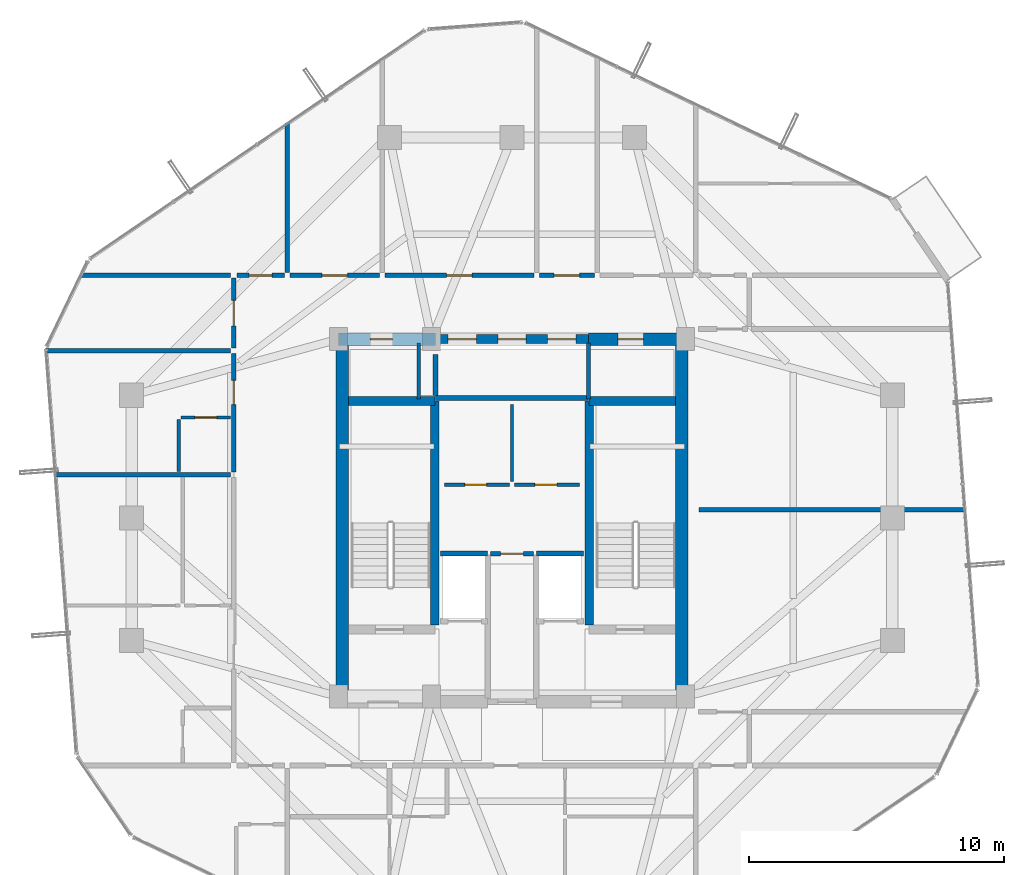
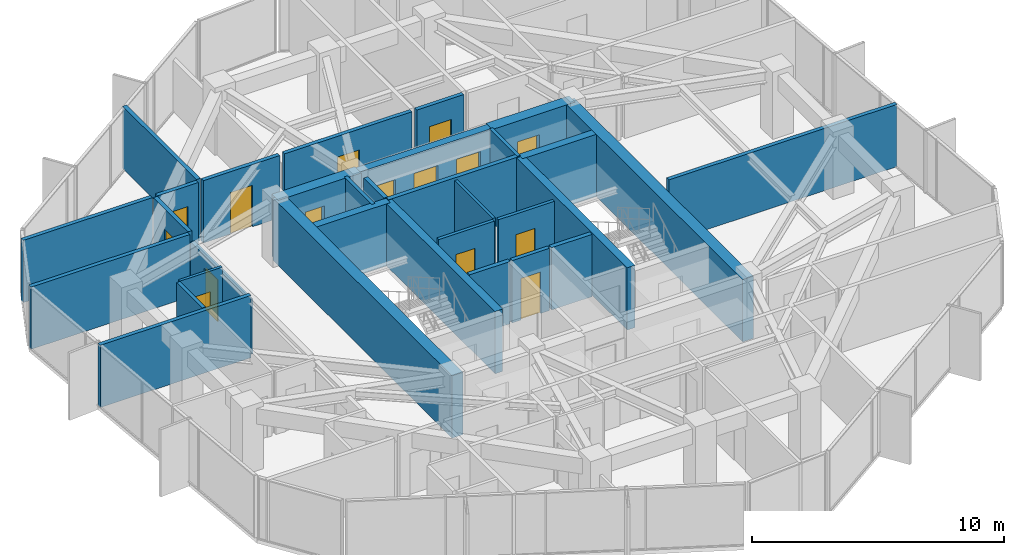
# One storey, part 31 of 34: 32 walls, 15 doors, 15 openings.
"""IFC4 building model written with IfcOpenShell, lengths in metres."""

from ifc_helpers import new_model, si_unit, direction, frame, frame_2d, origin, place, context, subcontext, project, spatial, rectangle, extrude, source, transform, mapped, material, layer, layer_set, type_object, element, fill, save


model = new_model("IFC4")

# Units and contexts
model_context = context("Model", 3, precision=1e-05, world=origin(), true_north=direction((0.0, 1.0)))
body_context = subcontext(model_context, "Body", "Model", "MODEL_VIEW")
ifc_project = project(units=[si_unit("LENGTHUNIT", "METRE"), si_unit("AREAUNIT", "SQUARE_METRE"), si_unit("VOLUMEUNIT", "CUBIC_METRE"), si_unit("PLANEANGLEUNIT", "RADIAN"), si_unit("MASSUNIT", "GRAM", prefix="KILO")], contexts=[model_context])

# Site, building, storey
site_placement = place(None, origin())
site = spatial("IfcSite", under=ifc_project, at=site_placement, CompositionType="ELEMENT")
building_placement = place(site_placement, origin())
building = spatial("IfcBuilding", under=site, at=building_placement, Name="Veraguas Prism Commons", CompositionType="ELEMENT")
storey_placement = place(building_placement, frame((0.0, 0.0, 191.85009765625)))
storey = spatial("IfcBuildingStorey", under=building, at=storey_placement, Name="L54", CompositionType="ELEMENT", Elevation=191.85009765625)

# Wall, openings, doors
ifc_material_1 = material(Name="Concrete C50/60", Category="concrete")
ifc_layer_1 = layer(ifc_material_1, 0.35009765625, Name="Core Internal Shear Wall Upper RC 350", Category="concrete")
ifc_layer_set_1 = layer_set([ifc_layer_1], Name="Concrete C50/60")
wall_type_1 = type_object("IfcWallType", Name="Core Internal Shear Wall Upper RC 350", PredefinedType="SHEAR", material=ifc_layer_set_1)
wall_1_placement = place(storey_placement, frame((21.0, 31.0, 0.0), z_axis=(0.0, 0.0, 1.0), x_axis=(1.0, 0.0, 0.0)))
wall_1 = element("IfcWall", 1, at=wall_1_placement, inside=storey, type_object=wall_type_1, Name="High-Rise Lift Bank Front Shear Wall L54", PredefinedType="SHEAR", context=body_context, shape_type="SweptSolid", body=[
    extrude(rectangle(XDim=6.0, YDim=0.35009765625, at=frame_2d((3.0, 0.0))), origin(), (0.0, 0.0, 1.0), 3.014892578125),
])
opening_1_placement = place(wall_1_placement, frame((0.5, 0.0, 0.0)))
opening_1 = element("IfcOpeningElement", 2, at=opening_1_placement, cuts=wall_1, Name="Opening LD-01", PredefinedType="OPENING", context=body_context, shape_type="SweptSolid", body=[
    extrude(rectangle(XDim=1.10009765625, YDim=2.080078125, at=frame_2d((0.550048828125, 1.0400390625))), frame((0.0, 0.18505859375, 0.0), z_axis=(0.0, -1.0, 0.0), x_axis=(1.0, 0.0, 0.0)), (0.0, 0.0, 1.0), 0.3701171875),
])
opening_2_placement = place(wall_1_placement, frame((2.449951171875, 0.0, 0.0)))
opening_2 = element("IfcOpeningElement", 3, at=opening_2_placement, cuts=wall_1, Name="Opening LD-01", PredefinedType="OPENING", context=body_context, shape_type="SweptSolid", body=[
    extrude(rectangle(XDim=1.10009765625, YDim=2.080078125, at=frame_2d((0.550048828125, 1.0400390625))), frame((0.0, 0.18505859375, 0.0), z_axis=(0.0, -1.0, 0.0), x_axis=(1.0, 0.0, 0.0)), (0.0, 0.0, 1.0), 0.3701171875),
])
opening_3_placement = place(wall_1_placement, frame((4.39990234375, 0.0, 0.0)))
opening_3 = element("IfcOpeningElement", 4, at=opening_3_placement, cuts=wall_1, Name="Opening LD-01", PredefinedType="OPENING", context=body_context, shape_type="SweptSolid", body=[
    extrude(rectangle(XDim=1.10009765625, YDim=2.080078125, at=frame_2d((0.550048828125, 1.0400390625))), frame((0.0, 0.18505859375, 0.0), z_axis=(0.0, -1.0, 0.0), x_axis=(1.0, 0.0, 0.0)), (0.0, 0.0, 1.0), 0.3701171875),
])
ifc_material_2 = material(Name="Stainless steel AISI 316", Category="steel")
door_type_1 = type_object("IfcDoorType", Name="Passenger Lift Sliding Landing Door 1100x2080", OperationType="NOTDEFINED", PredefinedType="DOOR", material=ifc_material_2)
shared_shape_1 = source(origin(), body_context, "Body", "SweptSolid", [
    extrude(rectangle(XDim=1.10009765625, YDim=2.080078125, at=frame_2d((0.550048828125, 1.0400390625))), frame((0.0, 0.02490234375, 0.0), z_axis=(0.0, -1.0, 0.0), x_axis=(1.0, 0.0, 0.0)), (0.0, 0.0, 1.0), 0.050048828125),
])
door_1_placement = place(opening_1_placement, origin())
door_1 = element("IfcDoor", 5, at=door_1_placement, inside=storey, type_object=door_type_1, Name="Sliding Landing Door PL-H1 L54", OperationType="SLIDING_TO_LEFT", OverallHeight=2.080078125, OverallWidth=1.10009765625, PredefinedType="DOOR", context=body_context, shape_type="MappedRepresentation", body=[
    mapped(shared_shape_1, transform((0.0, 0.0, 0.0), scale=1.0)),
])
fill(opening_1, door_1)
door_2_placement = place(opening_2_placement, origin())
door_2 = element("IfcDoor", 6, at=door_2_placement, inside=storey, type_object=door_type_1, Name="Sliding Landing Door PL-H2 L54", OperationType="SLIDING_TO_LEFT", OverallHeight=2.080078125, OverallWidth=1.10009765625, PredefinedType="DOOR", context=body_context, shape_type="MappedRepresentation", body=[
    mapped(shared_shape_1, transform((0.0, 0.0, 0.0), scale=1.0)),
])
fill(opening_2, door_2)
door_3_placement = place(opening_3_placement, origin())
door_3 = element("IfcDoor", 7, at=door_3_placement, inside=storey, type_object=door_type_1, Name="Sliding Landing Door PL-H3 L54", OperationType="SLIDING_TO_LEFT", OverallHeight=2.080078125, OverallWidth=1.10009765625, PredefinedType="DOOR", context=body_context, shape_type="MappedRepresentation", body=[
    mapped(shared_shape_1, transform((0.0, 0.0, 0.0), scale=1.0)),
])
fill(opening_3, door_3)

# Walls
for number, where, z_axis, x_axis, name in (
    (8, (20.97509765625, 19.800048828125, 0.0), (0.0, 0.0, 1.0), (0.0, 1.0, 0.0), "Stair ST-01 Inner Shear Wall L54"),
    (9, (27.02490234375, 19.800048828125, 0.0), (0.0, 0.0, 1.0), (0.0, 1.0, 0.0), "Stair ST-02 Inner Shear Wall L54"),
):
    element("IfcWall", number, at=place(storey_placement, frame(where, z_axis=z_axis, x_axis=x_axis)), inside=storey, type_object=wall_type_1, Name=name, PredefinedType="SHEAR", context=body_context, shape_type="SweptSolid", body=[
        extrude(rectangle(XDim=8.77490234375, YDim=0.35009765625, at=frame_2d((4.387451171875, 0.0))), origin(), (0.0, 0.0, 1.0), 3.014892578125),
    ])
for number, where, z_axis, x_axis, name in (
    (10, (17.60009765625, 28.574951171875, 0.0), (0.0, 0.0, 1.0), (1.0, 0.0, 0.0), "Stair ST-01 North Shear Wall L54"),
    (11, (27.02490234375, 28.574951171875, 0.0), (0.0, 0.0, 1.0), (1.0, 0.0, 0.0), "Stair ST-02 North Shear Wall L54"),
):
    element("IfcWall", number, at=place(storey_placement, frame(where, z_axis=z_axis, x_axis=x_axis)), inside=storey, type_object=wall_type_1, Name=name, PredefinedType="SHEAR", context=body_context, shape_type="SweptSolid", body=[
        extrude(rectangle(XDim=3.375, YDim=0.35009765625, at=frame_2d((1.6875, 0.0))), origin(), (0.0, 0.0, 1.0), 3.014892578125),
    ])
ifc_layer_2 = layer(ifc_material_1, 0.5, Name="Core Outer Shear Wall Upper RC 500", Category="concrete")
ifc_layer_set_2 = layer_set([ifc_layer_2], Name="Concrete C50/60")
wall_type_2 = type_object("IfcWallType", Name="Core Outer Shear Wall Upper RC 500", PredefinedType="SHEAR", material=ifc_layer_set_2)
for number, where, z_axis, x_axis, name in (
    (12, (17.35009765625, 16.800048828125, 0.0), (0.0, 0.0, 1.0), (0.0, 1.0, 0.0), "Central Core West Shear Wall L54"),
    (13, (30.64990234375, 16.800048828125, 0.0), (0.0, 0.0, 1.0), (0.0, 1.0, 0.0), "Central Core East Shear Wall L54"),
):
    element("IfcWall", number, at=place(storey_placement, frame(where, z_axis=z_axis, x_axis=x_axis)), inside=storey, type_object=wall_type_2, Name=name, PredefinedType="SHEAR", context=body_context, shape_type="SweptSolid", body=[
        extrude(rectangle(XDim=14.199951171875, YDim=0.5, at=frame_2d((7.10009765625, 0.0))), origin(), (0.0, 0.0, 1.0), 3.014892578125),
    ])

# Wall, opening, door
wall_2_placement = place(storey_placement, frame((17.199951171875, 31.0, 0.0), z_axis=(0.0, 0.0, 1.0), x_axis=(1.0, 0.0, 0.0)))
wall_2 = element("IfcWall", 14, at=wall_2_placement, inside=storey, type_object=wall_type_2, Name="Central Core North-West Shear Wall L54", PredefinedType="SHEAR", context=body_context, shape_type="SweptSolid", body=[
    extrude(rectangle(XDim=3.800048828125, YDim=0.5, at=frame_2d((1.89990234375, 0.0))), origin(), (0.0, 0.0, 1.0), 3.014892578125),
])
opening_4_placement = place(wall_2_placement, frame((1.25, 0.0, 0.0)))
opening_4 = element("IfcOpeningElement", 15, at=opening_4_placement, cuts=wall_2, Name="Opening DR-12", PredefinedType="OPENING", context=body_context, shape_type="SweptSolid", body=[
    extrude(rectangle(XDim=0.860107421875, YDim=2.010009765625, at=frame_2d((0.43017578125, 1.0048828125))), frame((0.0, 0.260009765625, 0.0), z_axis=(0.0, -1.0, 0.0), x_axis=(1.0, 0.0, 0.0)), (0.0, 0.0, 1.0), 0.52001953125),
])
ifc_material_3 = material(Name="Steel fire-rated door assembly", Category="steel")
door_type_2 = type_object("IfcDoorType", Name="Core WC Fire Door 860x2010", OperationType="NOTDEFINED", PredefinedType="DOOR", material=ifc_material_3)
shared_shape_2 = source(origin(), body_context, "Body", "SweptSolid", [
    extrude(rectangle(XDim=0.860107421875, YDim=2.010009765625, at=frame_2d((0.43017578125, 1.0048828125))), frame((0.0, 0.02490234375, 0.0), z_axis=(0.0, -1.0, 0.0), x_axis=(1.0, 0.0, 0.0)), (0.0, 0.0, 1.0), 0.050048828125),
])
door_4_placement = place(opening_4_placement, origin())
door_4 = element("IfcDoor", 16, at=door_4_placement, inside=storey, type_object=door_type_2, Name="Core NW Service Door L54", OperationType="SINGLE_SWING_LEFT", OverallHeight=2.010009765625, OverallWidth=0.860107421875, PredefinedType="DOOR", context=body_context, shape_type="MappedRepresentation", body=[
    mapped(shared_shape_2, transform((0.0, 0.0, 0.0), scale=1.0)),
])
fill(opening_4, door_4)

wall_3_placement = place(storey_placement, frame((27.0, 31.0, 0.0), z_axis=(0.0, 0.0, 1.0), x_axis=(1.0, 0.0, 0.0)))
wall_3 = element("IfcWall", 17, at=wall_3_placement, inside=storey, type_object=wall_type_2, Name="Central Core North-East Shear Wall L54", PredefinedType="SHEAR", context=body_context, shape_type="SweptSolid", body=[
    extrude(rectangle(XDim=3.800048828125, YDim=0.5, at=frame_2d((1.89990234375, 0.0))), origin(), (0.0, 0.0, 1.0), 3.014892578125),
])
opening_5_placement = place(wall_3_placement, frame((1.14990234375, 0.0, 0.0)))
opening_5 = element("IfcOpeningElement", 18, at=opening_5_placement, cuts=wall_3, Name="Opening DR-13", PredefinedType="OPENING", context=body_context, shape_type="SweptSolid", body=[
    extrude(rectangle(XDim=1.0, YDim=2.010009765625, at=frame_2d((0.5, 1.0048828125))), frame((0.0, 0.260009765625, 0.0), z_axis=(0.0, -1.0, 0.0), x_axis=(1.0, 0.0, 0.0)), (0.0, 0.0, 1.0), 0.52001953125),
])
door_type_3 = type_object("IfcDoorType", Name="Core Accessible WC and Clinic Fire Door 1000x2010", OperationType="NOTDEFINED", PredefinedType="DOOR", material=ifc_material_3)
shared_shape_3 = source(origin(), body_context, "Body", "SweptSolid", [
    extrude(rectangle(XDim=1.0, YDim=2.010009765625, at=frame_2d((0.5, 1.0048828125))), frame((0.0, 0.02490234375, 0.0), z_axis=(0.0, -1.0, 0.0), x_axis=(1.0, 0.0, 0.0)), (0.0, 0.0, 1.0), 0.050048828125),
])
door_5_placement = place(opening_5_placement, origin())
door_5 = element("IfcDoor", 19, at=door_5_placement, inside=storey, type_object=door_type_3, Name="Core NE Pantry Door L54", OperationType="SINGLE_SWING_RIGHT", OverallHeight=2.010009765625, OverallWidth=1.0, PredefinedType="DOOR", context=body_context, shape_type="MappedRepresentation", body=[
    mapped(shared_shape_3, transform((0.0, 0.0, 0.0), scale=1.0)),
])
fill(opening_5, door_5)

ifc_material_4 = material(Name="Autoclaved aerated masonry block 10 MPa", Category="masonry")
ifc_layer_3 = layer(ifc_material_4, 0.179931640625, Name="Corridor and Inter-Tenancy Partition 180", Category="masonry")
ifc_layer_set_3 = layer_set([ifc_layer_3], Name="Autoclaved aerated masonry block 10 MPa")
wall_type_3 = type_object("IfcWallType", Name="Corridor and Inter-Tenancy Partition 180", PredefinedType="PARTITIONING", material=ifc_layer_set_3)
wall_4_placement = place(storey_placement, frame((23.14990234375, 22.60009765625, 0.0), z_axis=(0.0, 0.0, 1.0), x_axis=(1.0, 0.0, 0.0)))
wall_4 = element("IfcWall", 20, at=wall_4_placement, inside=storey, type_object=wall_type_3, Name="Core Suite Entry Wall L54", PredefinedType="PARTITIONING", context=body_context, shape_type="SweptSolid", body=[
    extrude(rectangle(XDim=1.7001953125, YDim=0.179931640625, at=frame_2d((0.85009765625, 0.0))), origin(), (0.0, 0.0, 1.0), 3.014892578125),
])
opening_6_placement = place(wall_4_placement, frame((0.39990234375, 0.0, 0.0)))
opening_6 = element("IfcOpeningElement", 21, at=opening_6_placement, cuts=wall_4, Name="Opening DR-14", PredefinedType="OPENING", context=body_context, shape_type="SweptSolid", body=[
    extrude(rectangle(XDim=0.89990234375, YDim=2.010009765625, at=frame_2d((0.449951171875, 1.0048828125))), frame((0.0, 0.099853515625, 0.0), z_axis=(0.0, -1.0, 0.0), x_axis=(1.0, 0.0, 0.0)), (0.0, 0.0, 1.0), 0.199951171875),
])
door_type_4 = type_object("IfcDoorType", Name="Core Service Room Fire Door 900x2010", OperationType="NOTDEFINED", PredefinedType="DOOR", material=ifc_material_3)
shared_shape_4 = source(origin(), body_context, "Body", "SweptSolid", [
    extrude(rectangle(XDim=0.89990234375, YDim=2.010009765625, at=frame_2d((0.449951171875, 1.0048828125))), frame((0.0, 0.02490234375, 0.0), z_axis=(0.0, -1.0, 0.0), x_axis=(1.0, 0.0, 0.0)), (0.0, 0.0, 1.0), 0.050048828125),
])
door_6_placement = place(opening_6_placement, origin())
door_6 = element("IfcDoor", 22, at=door_6_placement, inside=storey, type_object=door_type_4, Name="Core Suite Entry Door L54", OperationType="SINGLE_SWING_LEFT", OverallHeight=2.010009765625, OverallWidth=0.89990234375, PredefinedType="DOOR", context=body_context, shape_type="MappedRepresentation", body=[
    mapped(shared_shape_4, transform((0.0, 0.0, 0.0), scale=1.0)),
])
fill(opening_6, door_6)

# Wall
wall_5_placement = place(storey_placement, frame((15.199951171875, 33.6201171875, 0.0), z_axis=(0.0, 0.0, 1.0), x_axis=(0.0, 1.0, 0.0)))
element("IfcWall", 23, at=wall_5_placement, inside=storey, type_object=wall_type_3, Name="WL-L54-PT013", PredefinedType="PARTITIONING", context=body_context, shape_type="SweptSolid", body=[
    extrude(rectangle(XDim=5.8515625, YDim=0.179931640625, at=frame_2d((2.92578125, 0.0))), origin(), (0.0, 0.0, 1.0), 3.014892578125),
])

# Wall, opening, door
wall_6_placement = place(storey_placement, frame((15.31005859375, 33.5, 0.0), z_axis=(0.0, 0.0, 1.0), x_axis=(1.0, 0.0, 0.0)))
wall_6 = element("IfcWall", 24, at=wall_6_placement, inside=storey, type_object=wall_type_3, Name="WL-L54-PT015", PredefinedType="PARTITIONING", context=body_context, shape_type="SweptSolid", body=[
    extrude(rectangle(XDim=3.492919921875, YDim=0.179931640625, at=frame_2d((1.74658203125, 0.0))), origin(), (0.0, 0.0, 1.0), 3.014892578125),
])
opening_7_placement = place(wall_6_placement, frame((1.24658203125, 0.0, 0.0)))
opening_7 = element("IfcOpeningElement", 25, at=opening_7_placement, cuts=wall_6, Name="Opening DR-13", PredefinedType="OPENING", context=body_context, shape_type="SweptSolid", body=[
    extrude(rectangle(XDim=1.0, YDim=2.010009765625, at=frame_2d((0.5, 1.0048828125))), frame((0.0, 0.099853515625, 0.0), z_axis=(0.0, -1.0, 0.0), x_axis=(1.0, 0.0, 0.0)), (0.0, 0.0, 1.0), 0.199951171875),
])
door_7_placement = place(opening_7_placement, origin())
door_7 = element("IfcDoor", 26, at=door_7_placement, inside=storey, type_object=door_type_3, Name="Residents Study Room Door", OperationType="SINGLE_SWING_RIGHT", OverallHeight=2.010009765625, OverallWidth=1.0, PredefinedType="DOOR", context=body_context, shape_type="MappedRepresentation", body=[
    mapped(shared_shape_3, transform((0.0, 0.0, 0.0), scale=1.0)),
])
fill(opening_7, door_7)

wall_7_placement = place(storey_placement, frame((19.02294921875, 33.5, 0.0), z_axis=(0.0, 0.0, 1.0), x_axis=(1.0, 0.0, 0.0)))
wall_7 = element("IfcWall", 27, at=wall_7_placement, inside=storey, type_object=wall_type_3, Name="WL-L54-PT016", PredefinedType="PARTITIONING", context=body_context, shape_type="SweptSolid", body=[
    extrude(rectangle(XDim=5.837158203125, YDim=0.179931640625, at=frame_2d((2.91845703125, 0.0))), origin(), (0.0, 0.0, 1.0), 3.014892578125),
])
opening_8_placement = place(wall_7_placement, frame((2.41845703125, 0.0, 0.0)))
opening_8 = element("IfcOpeningElement", 28, at=opening_8_placement, cuts=wall_7, Name="Opening DR-13", PredefinedType="OPENING", context=body_context, shape_type="SweptSolid", body=[
    extrude(rectangle(XDim=1.0, YDim=2.010009765625, at=frame_2d((0.5, 1.0048828125))), frame((0.0, 0.099853515625, 0.0), z_axis=(0.0, -1.0, 0.0), x_axis=(1.0, 0.0, 0.0)), (0.0, 0.0, 1.0), 0.199951171875),
])
door_8_placement = place(opening_8_placement, origin())
door_8 = element("IfcDoor", 29, at=door_8_placement, inside=storey, type_object=door_type_3, Name="Co-op Store N Door", OperationType="SINGLE_SWING_LEFT", OverallHeight=2.010009765625, OverallWidth=1.0, PredefinedType="DOOR", context=body_context, shape_type="MappedRepresentation", body=[
    mapped(shared_shape_3, transform((0.0, 0.0, 0.0), scale=1.0)),
])
fill(opening_8, door_8)

wall_8_placement = place(storey_placement, frame((25.080078125, 33.5, 0.0), z_axis=(0.0, 0.0, 1.0), x_axis=(1.0, 0.0, 0.0)))
wall_8 = element("IfcWall", 30, at=wall_8_placement, inside=storey, type_object=wall_type_3, Name="WL-L54-PT019", PredefinedType="PARTITIONING", context=body_context, shape_type="SweptSolid", body=[
    extrude(rectangle(XDim=2.14697265625, YDim=0.179931640625, at=frame_2d((1.073486328125, 0.0))), origin(), (0.0, 0.0, 1.0), 3.014892578125),
])
opening_9_placement = place(wall_8_placement, frame((0.573486328125, 0.0, 0.0)))
opening_9 = element("IfcOpeningElement", 31, at=opening_9_placement, cuts=wall_8, Name="Opening DR-13", PredefinedType="OPENING", context=body_context, shape_type="SweptSolid", body=[
    extrude(rectangle(XDim=1.0, YDim=2.010009765625, at=frame_2d((0.5, 1.0048828125))), frame((0.0, 0.099853515625, 0.0), z_axis=(0.0, -1.0, 0.0), x_axis=(1.0, 0.0, 0.0)), (0.0, 0.0, 1.0), 0.199951171875),
])
door_9_placement = place(opening_9_placement, origin())
door_9 = element("IfcDoor", 32, at=door_9_placement, inside=storey, type_object=door_type_3, Name="Shared Laundry Room Door", OperationType="SINGLE_SWING_RIGHT", OverallHeight=2.010009765625, OverallWidth=1.0, PredefinedType="DOOR", context=body_context, shape_type="MappedRepresentation", body=[
    mapped(shared_shape_3, transform((0.0, 0.0, 0.0), scale=1.0)),
])
fill(opening_9, door_9)

# Walls
wall_9_placement = place(storey_placement, frame((12.97998046875, 33.5, 0.0), z_axis=(0.0, 0.0, 1.0), x_axis=(-1.0, 0.0, 0.0)))
element("IfcWall", 33, at=wall_9_placement, inside=storey, type_object=wall_type_3, Name="WL-L54-PT023", PredefinedType="PARTITIONING", context=body_context, shape_type="SweptSolid", body=[
    extrude(rectangle(XDim=5.907958984375, YDim=0.179931640625, at=frame_2d((2.9541015625, 0.0))), origin(), (0.0, 0.0, 1.0), 3.014892578125),
])
wall_10_placement = place(storey_placement, frame((12.97998046875, 25.696044921875, 0.0), z_axis=(0.0, 0.0, 1.0), x_axis=(-1.0, 0.0, 0.0)))
element("IfcWall", 34, at=wall_10_placement, inside=storey, type_object=wall_type_3, Name="WL-L54-PT030", PredefinedType="PARTITIONING", context=body_context, shape_type="SweptSolid", body=[
    extrude(rectangle(XDim=6.897705078125, YDim=0.179931640625, at=frame_2d((3.44873046875, 0.0))), origin(), (0.0, 0.0, 1.0), 3.014892578125),
])

# Wall, opening, door
wall_11_placement = place(storey_placement, frame((13.10009765625, 30.659912109375, 0.0), z_axis=(0.0, 0.0, 1.0), x_axis=(0.0, 1.0, 0.0)))
wall_11 = element("IfcWall", 35, at=wall_11_placement, inside=storey, type_object=wall_type_3, Name="WL-L54-PT031", PredefinedType="PARTITIONING", context=body_context, shape_type="SweptSolid", body=[
    extrude(rectangle(XDim=2.72998046875, YDim=0.179931640625, at=frame_2d((1.364990234375, 0.0))), origin(), (0.0, 0.0, 1.0), 3.014892578125),
])
opening_10_placement = place(wall_11_placement, frame((0.864990234375, 0.0, 0.0)))
opening_10 = element("IfcOpeningElement", 36, at=opening_10_placement, cuts=wall_11, Name="Opening DR-13", PredefinedType="OPENING", context=body_context, shape_type="SweptSolid", body=[
    extrude(rectangle(XDim=1.0, YDim=2.010009765625, at=frame_2d((0.5, 1.0048828125))), frame((0.0, 0.099853515625, 0.0), z_axis=(0.0, -1.0, 0.0), x_axis=(1.0, 0.0, 0.0)), (0.0, 0.0, 1.0), 0.199951171875),
])
door_10_placement = place(opening_10_placement, origin())
door_10 = element("IfcDoor", 37, at=door_10_placement, inside=storey, type_object=door_type_3, Name="Quiet Study W Door", OperationType="SINGLE_SWING_RIGHT", OverallHeight=2.010009765625, OverallWidth=1.0, PredefinedType="DOOR", context=body_context, shape_type="MappedRepresentation", body=[
    mapped(shared_shape_3, transform((0.0, 0.0, 0.0), scale=1.0)),
])
fill(opening_10, door_10)

# Wall
wall_12_placement = place(storey_placement, frame((12.97998046875, 30.550048828125, 0.0), z_axis=(0.0, 0.0, 1.0), x_axis=(-1.0, 0.0, 0.0)))
element("IfcWall", 38, at=wall_12_placement, inside=storey, type_object=wall_type_3, Name="WL-L54-PT032", PredefinedType="PARTITIONING", context=body_context, shape_type="SweptSolid", body=[
    extrude(rectangle(XDim=7.2626953125, YDim=0.179931640625, at=frame_2d((3.63134765625, 0.0))), origin(), (0.0, 0.0, 1.0), 3.014892578125),
])

# Wall, opening, door
wall_13_placement = place(storey_placement, frame((13.10009765625, 25.805908203125, 0.0), z_axis=(0.0, 0.0, 1.0), x_axis=(0.0, 1.0, 0.0)))
wall_13 = element("IfcWall", 39, at=wall_13_placement, inside=storey, type_object=wall_type_3, Name="WL-L54-PT033", PredefinedType="PARTITIONING", context=body_context, shape_type="SweptSolid", body=[
    extrude(rectangle(XDim=4.634033203125, YDim=0.179931640625, at=frame_2d((2.31689453125, 0.0))), origin(), (0.0, 0.0, 1.0), 2.661865234375),
])
opening_11_placement = place(wall_13_placement, frame((2.630126953125, 0.0, 0.0)))
opening_11 = element("IfcOpeningElement", 40, at=opening_11_placement, cuts=wall_13, Name="Opening DR-01", PredefinedType="OPENING", context=body_context, shape_type="SweptSolid", body=[
    extrude(rectangle(XDim=0.949951171875, YDim=2.02001953125, at=frame_2d((0.47509765625, 1.010009765625))), frame((0.0, 0.099853515625, 0.0), z_axis=(0.0, -1.0, 0.0), x_axis=(1.0, 0.0, 0.0)), (0.0, 0.0, 1.0), 0.199951171875),
])
ifc_material_5 = material(Name="Anodised aluminium EN AW-6063 T6", Category="aluminium")
door_type_5 = type_object("IfcDoorType", Name="Apartment Entrance Fire Door 950x2020", OperationType="NOTDEFINED", PredefinedType="DOOR", material=ifc_material_5)
shared_shape_5 = source(origin(), body_context, "Body", "SweptSolid", [
    extrude(rectangle(XDim=0.949951171875, YDim=2.02001953125, at=frame_2d((0.47509765625, 1.010009765625))), frame((0.0, 0.02490234375, 0.0), z_axis=(0.0, -1.0, 0.0), x_axis=(1.0, 0.0, 0.0)), (0.0, 0.0, 1.0), 0.050048828125),
])
door_11_placement = place(opening_11_placement, origin())
door_11 = element("IfcDoor", 41, at=door_11_placement, inside=storey, type_object=door_type_5, Name="Studio 54C Entrance Door", OperationType="SINGLE_SWING_LEFT", OverallHeight=2.02001953125, OverallWidth=0.949951171875, PredefinedType="DOOR", context=body_context, shape_type="MappedRepresentation", body=[
    mapped(shared_shape_5, transform((0.0, 0.0, 0.0), scale=1.0)),
])
fill(opening_11, door_11)

# Wall
wall_14_placement = place(storey_placement, frame((31.320068359375, 24.324951171875, 0.0), z_axis=(0.0, 0.0, 1.0), x_axis=(1.0, 0.0, 0.0)))
element("IfcWall", 42, at=wall_14_placement, inside=storey, type_object=wall_type_3, Name="WL-L54-PT036", PredefinedType="PARTITIONING", context=body_context, shape_type="SweptSolid", body=[
    extrude(rectangle(XDim=10.44580078125, YDim=0.179931640625, at=frame_2d((5.222900390625, 0.0))), origin(), (0.0, 0.0, 1.0), 3.014892578125),
])

# Wall, opening, door
wall_15_placement = place(storey_placement, frame((13.219970703125, 33.5, 0.0), z_axis=(0.0, 0.0, 1.0), x_axis=(1.0, 0.0, 0.0)))
wall_15 = element("IfcWall", 43, at=wall_15_placement, inside=storey, type_object=wall_type_3, Name="WL-L54-PT049", PredefinedType="PARTITIONING", context=body_context, shape_type="SweptSolid", body=[
    extrude(rectangle(XDim=1.860107421875, YDim=0.179931640625, at=frame_2d((0.93017578125, 0.0))), origin(), (0.0, 0.0, 1.0), 3.014892578125),
])
opening_12_placement = place(wall_15_placement, frame((0.47998046875, 0.0, 0.0)))
opening_12 = element("IfcOpeningElement", 44, at=opening_12_placement, cuts=wall_15, Name="Opening DR-14", PredefinedType="OPENING", context=body_context, shape_type="SweptSolid", body=[
    extrude(rectangle(XDim=0.89990234375, YDim=2.010009765625, at=frame_2d((0.449951171875, 1.0048828125))), frame((0.0, 0.099853515625, 0.0), z_axis=(0.0, -1.0, 0.0), x_axis=(1.0, 0.0, 0.0)), (0.0, 0.0, 1.0), 0.199951171875),
])
door_12_placement = place(opening_12_placement, origin())
door_12 = element("IfcDoor", 45, at=door_12_placement, inside=storey, type_object=door_type_4, Name="Shared Laundry Room NW Door", OperationType="SINGLE_SWING_RIGHT", OverallHeight=2.010009765625, OverallWidth=0.89990234375, PredefinedType="DOOR", context=body_context, shape_type="MappedRepresentation", body=[
    mapped(shared_shape_4, transform((0.0, 0.0, 0.0), scale=1.0)),
])
fill(opening_12, door_12)

# Wall
ifc_material_6 = material(Name="Lightweight acoustic gypsum board")
ifc_layer_4 = layer(ifc_material_6, 0.125, Name="Internal Apartment Room Partition 125")
ifc_layer_set_4 = layer_set([ifc_layer_4], Name="Lightweight acoustic gypsum board")
wall_type_4 = type_object("IfcWallType", Name="Internal Apartment Room Partition 125", PredefinedType="PARTITIONING", material=ifc_layer_set_4)
wall_16_placement = place(storey_placement, frame((24.0, 25.419921875, 0.0), z_axis=(0.0, 0.0, 1.0), x_axis=(0.0, 1.0, 0.0)))
element("IfcWall", 46, at=wall_16_placement, inside=storey, type_object=wall_type_4, Name="WL-L54-FRWVM", PredefinedType="PARTITIONING", context=body_context, shape_type="SweptSolid", body=[
    extrude(rectangle(XDim=3.030029296875, YDim=0.125, at=frame_2d((1.51513671875, 0.0))), origin(), (0.0, 0.0, 1.0), 3.014892578125),
])

# Wall, opening, door
wall_17_placement = place(storey_placement, frame((12.97998046875, 27.928955078125, 0.0), z_axis=(0.0, 0.0, 1.0), x_axis=(-1.0, 0.0, 0.0)))
wall_17 = element("IfcWall", 47, at=wall_17_placement, inside=storey, type_object=wall_type_4, Name="WL-L54-PT034", PredefinedType="PARTITIONING", context=body_context, shape_type="SweptSolid", body=[
    extrude(rectangle(XDim=1.949951171875, YDim=0.125, at=frame_2d((0.97509765625, 0.0))), origin(), (0.0, 0.0, 1.0), 3.014892578125),
])
opening_13_placement = place(wall_17_placement, frame((0.544921875, 0.0, 0.0)))
opening_13 = element("IfcOpeningElement", 48, at=opening_13_placement, cuts=wall_17, Name="Opening DR-03", PredefinedType="OPENING", context=body_context, shape_type="SweptSolid", body=[
    extrude(rectangle(XDim=0.860107421875, YDim=2.010009765625, at=frame_2d((0.43017578125, 1.0048828125))), frame((0.0, 0.072509765625, 0.0), z_axis=(0.0, -1.0, 0.0), x_axis=(1.0, 0.0, 0.0)), (0.0, 0.0, 1.0), 0.14501953125),
])
ifc_material_7 = material(Name="Timber moisture-resistant leaf", Category="wood")
door_type_6 = type_object("IfcDoorType", Name="Internal Bathroom Door 860x2010", OperationType="NOTDEFINED", PredefinedType="DOOR", material=ifc_material_7)
door_13_placement = place(opening_13_placement, origin())
door_13 = element("IfcDoor", 49, at=door_13_placement, inside=storey, type_object=door_type_6, Name="Studio 54C Bathroom Door", OperationType="SINGLE_SWING_RIGHT", OverallHeight=2.010009765625, OverallWidth=0.860107421875, PredefinedType="DOOR", context=body_context, shape_type="MappedRepresentation", body=[
    mapped(shared_shape_2, transform((0.0, 0.0, 0.0), scale=1.0)),
])
fill(opening_13, door_13)

# Walls
ifc_layer_5 = layer(ifc_material_4, 0.199951171875, Name="Rated Shaft and Lobby Block Wall 200", Category="masonry")
ifc_layer_set_5 = layer_set([ifc_layer_5], Name="Autoclaved aerated masonry block 10 MPa")
wall_type_5 = type_object("IfcWallType", Name="Rated Shaft and Lobby Block Wall 200", PredefinedType="SOLIDWALL", material=ifc_layer_set_5)
for number, where, z_axis, x_axis, name in (
    (50, (21.199951171875, 22.60009765625, 0.0), (0.0, 0.0, 1.0), (1.0, 0.0, 0.0), "Firefighting Lift FFL-1 Rear Wall L54"),
    (51, (24.949951171875, 22.60009765625, 0.0), (0.0, 0.0, 1.0), (1.0, 0.0, 0.0), "Firefighting Lift FFL-2 Rear Wall L54"),
):
    element("IfcWall", number, at=place(storey_placement, frame(where, z_axis=z_axis, x_axis=x_axis)), inside=storey, type_object=wall_type_5, Name=name, PredefinedType="SOLIDWALL", context=body_context, shape_type="SweptSolid", body=[
        extrude(rectangle(XDim=1.85009765625, YDim=0.199951171875, at=frame_2d((0.925048828125, 0.0))), origin(), (0.0, 0.0, 1.0), 3.014892578125),
    ])
wall_18_placement = place(storey_placement, frame((21.0, 28.699951171875, 0.0), z_axis=(0.0, 0.0, 1.0), x_axis=(1.0, 0.0, 0.0)))
element("IfcWall", 52, at=wall_18_placement, inside=storey, type_object=wall_type_5, Name="High-Rise Lift Bank Rear Shaft Wall L54", PredefinedType="SOLIDWALL", context=body_context, shape_type="SweptSolid", body=[
    extrude(rectangle(XDim=6.0, YDim=0.199951171875, at=frame_2d((3.0, 0.0))), origin(), (0.0, 0.0, 1.0), 3.014892578125),
])
wall_19_placement = place(storey_placement, frame((21.0, 28.800048828125, 0.0), z_axis=(0.0, 0.0, 1.0), x_axis=(0.0, 1.0, 0.0)))
element("IfcWall", 53, at=wall_19_placement, inside=storey, type_object=wall_type_5, Name="High-Rise Lift Bank West Shaft Wall L54", PredefinedType="SOLIDWALL", context=body_context, shape_type="SweptSolid", body=[
    extrude(rectangle(XDim=1.599853515625, YDim=0.199951171875, at=frame_2d((0.7998046875, 0.0))), origin(), (0.0, 0.0, 1.0), 3.014892578125),
])
ifc_layer_6 = layer(ifc_material_6, 0.14990234375, Name="Wet Room and Clinic Acoustic Partition 150")
ifc_layer_set_6 = layer_set([ifc_layer_6], Name="Lightweight acoustic gypsum board")
wall_type_6 = type_object("IfcWallType", Name="Wet Room and Clinic Acoustic Partition 150", PredefinedType="PARTITIONING", material=ifc_layer_set_6)
for number, where, z_axis, x_axis, name in (
    (54, (20.35009765625, 28.64990234375, 0.0), (0.0, 0.0, 1.0), (0.0, 1.0, 0.0), "Core NW Service Inner Wall L54"),
    (55, (27.0, 28.64990234375, 0.0), (0.0, 0.0, 1.0), (0.0, 1.0, 0.0), "Core NE Service Inner Wall L54"),
):
    element("IfcWall", number, at=place(storey_placement, frame(where, z_axis=z_axis, x_axis=x_axis)), inside=storey, type_object=wall_type_6, Name=name, PredefinedType="PARTITIONING", context=body_context, shape_type="SweptSolid", body=[
        extrude(rectangle(XDim=2.2001953125, YDim=0.14990234375, at=frame_2d((1.10009765625, 0.0))), origin(), (0.0, 0.0, 1.0), 3.014892578125),
    ])

# Wall, opening, door
wall_20_placement = place(storey_placement, frame((21.35009765625, 25.300048828125, 0.0), z_axis=(0.0, 0.0, 1.0), x_axis=(1.0, 0.0, 0.0)))
wall_20 = element("IfcWall", 56, at=wall_20_placement, inside=storey, type_object=wall_type_6, Name="WL-L54-FRWH1", PredefinedType="PARTITIONING", context=body_context, shape_type="SweptSolid", body=[
    extrude(rectangle(XDim=2.5498046875, YDim=0.14990234375, at=frame_2d((1.27490234375, 0.0))), origin(), (0.0, 0.0, 1.0), 3.014892578125),
])
opening_14_placement = place(wall_20_placement, frame((0.800048828125, 0.0, 0.0)))
opening_14 = element("IfcOpeningElement", 57, at=opening_14_placement, cuts=wall_20, Name="Opening DR-12", PredefinedType="OPENING", context=body_context, shape_type="SweptSolid", body=[
    extrude(rectangle(XDim=0.860107421875, YDim=2.010009765625, at=frame_2d((0.43017578125, 1.0048828125))), frame((0.0, 0.0849609375, 0.0), z_axis=(0.0, -1.0, 0.0), x_axis=(1.0, 0.0, 0.0)), (0.0, 0.0, 1.0), 0.169921875),
])
door_14_placement = place(opening_14_placement, origin())
door_14 = element("IfcDoor", 58, at=door_14_placement, inside=storey, type_object=door_type_2, Name="Quiet Study Door L54", OperationType="SINGLE_SWING_RIGHT", OverallHeight=2.010009765625, OverallWidth=0.860107421875, PredefinedType="DOOR", context=body_context, shape_type="MappedRepresentation", body=[
    mapped(shared_shape_2, transform((0.0, 0.0, 0.0), scale=1.0)),
])
fill(opening_14, door_14)

wall_21_placement = place(storey_placement, frame((24.10009765625, 25.300048828125, 0.0), z_axis=(0.0, 0.0, 1.0), x_axis=(1.0, 0.0, 0.0)))
wall_21 = element("IfcWall", 59, at=wall_21_placement, inside=storey, type_object=wall_type_6, Name="WL-L54-FRWH2", PredefinedType="PARTITIONING", context=body_context, shape_type="SweptSolid", body=[
    extrude(rectangle(XDim=2.5498046875, YDim=0.14990234375, at=frame_2d((1.27490234375, 0.0))), origin(), (0.0, 0.0, 1.0), 3.014892578125),
])
opening_15_placement = place(wall_21_placement, frame((0.800048828125, 0.0, 0.0)))
opening_15 = element("IfcOpeningElement", 60, at=opening_15_placement, cuts=wall_21, Name="Opening DR-12", PredefinedType="OPENING", context=body_context, shape_type="SweptSolid", body=[
    extrude(rectangle(XDim=0.860107421875, YDim=2.010009765625, at=frame_2d((0.43017578125, 1.0048828125))), frame((0.0, 0.0849609375, 0.0), z_axis=(0.0, -1.0, 0.0), x_axis=(1.0, 0.0, 0.0)), (0.0, 0.0, 1.0), 0.169921875),
])
door_15_placement = place(opening_15_placement, origin())
door_15 = element("IfcDoor", 61, at=door_15_placement, inside=storey, type_object=door_type_2, Name="Housekeeping Store Door L54", OperationType="SINGLE_SWING_LEFT", OverallHeight=2.010009765625, OverallWidth=0.860107421875, PredefinedType="DOOR", context=body_context, shape_type="MappedRepresentation", body=[
    mapped(shared_shape_2, transform((0.0, 0.0, 0.0), scale=1.0)),
])
fill(opening_15, door_15)

# Wall
wall_22_placement = place(storey_placement, frame((10.949951171875, 25.81591796875, 0.0), z_axis=(0.0, 0.0, 1.0), x_axis=(0.0, 1.0, 0.0)))
element("IfcWall", 62, at=wall_22_placement, inside=storey, type_object=wall_type_6, Name="WL-L54-PT035", PredefinedType="PARTITIONING", context=body_context, shape_type="SweptSolid", body=[
    extrude(rectangle(XDim=2.033203125, YDim=0.14990234375, at=frame_2d((1.0166015625, 0.0))), origin(), (0.0, 0.0, 1.0), 3.014892578125),
])

save(model, "model.ifc")
